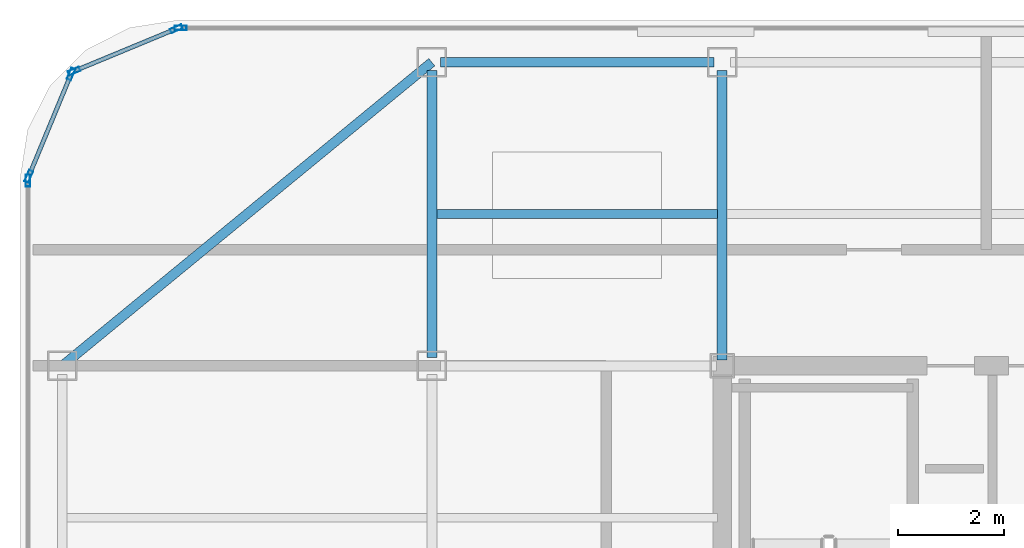
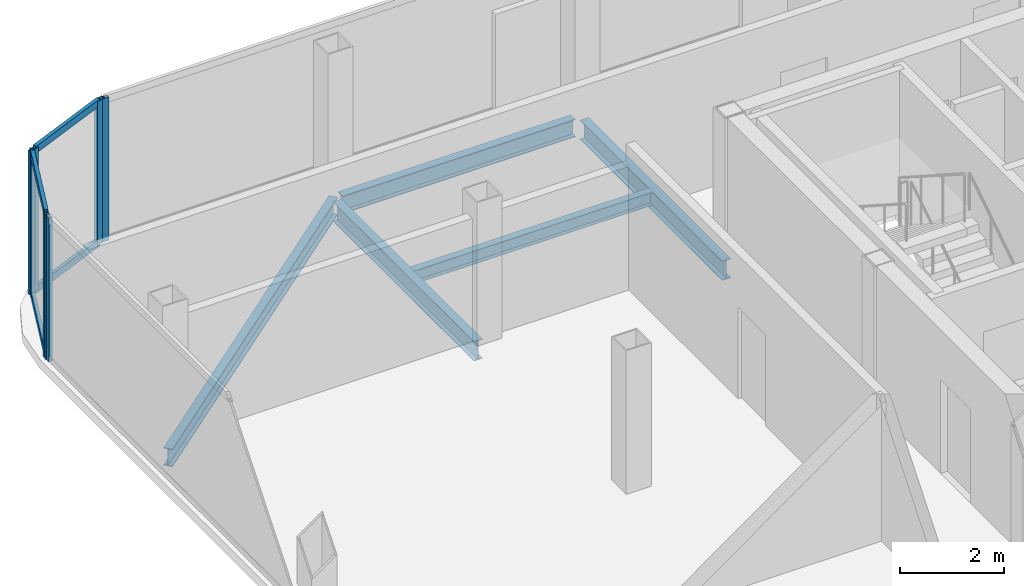
# One storey, part 4 of 11: 10 members, 5 beams, 4 elements without a shape of their own.
"""IFC4 building model written with IfcOpenShell, lengths in metres."""

from ifc_helpers import new_model, si_unit, direction, frame, origin, origin_2d, place, context, subcontext, project, spatial, hollow_rectangle, i_section, extrude, source, transform, mapped, material, layer, layer_set, material_profile, profile_set, type_object, element, aggregate, save


model = new_model("IFC4")

# Units and contexts
model_context = context("Model", 3, precision=1e-05, world=origin(), true_north=direction((0.0, 1.0)))
body_context = subcontext(model_context, "Body", "Model", "MODEL_VIEW")
ifc_project = project(units=[si_unit("LENGTHUNIT", "METRE"), si_unit("AREAUNIT", "SQUARE_METRE"), si_unit("VOLUMEUNIT", "CUBIC_METRE"), si_unit("PLANEANGLEUNIT", "RADIAN"), si_unit("MASSUNIT", "GRAM", prefix="KILO")], contexts=[model_context])

# Site, building, storey
site_placement = place(None, origin())
site = spatial("IfcSite", under=ifc_project, at=site_placement, CompositionType="ELEMENT")
building_placement = place(site_placement, origin())
building = spatial("IfcBuilding", under=site, at=building_placement, Name="Kolveth Station Tower", CompositionType="ELEMENT")
storey_placement = place(building_placement, frame((0.0, 0.0, 274.89990234375)))
storey = spatial("IfcBuildingStorey", under=building, at=storey_placement, Name="L79", CompositionType="ELEMENT", Elevation=274.89990234375)

# Beams
ifc_material_1 = material(Name="Steel S355", Category="steel")
ifc_material_profile_1 = material_profile(ifc_material_1, i_section(OverallWidth=0.180908203125, OverallDepth=0.4169921875, WebThickness=0.010986328125, FlangeThickness=0.018310546875, at=origin_2d()), Name="W410x85")
ifc_profile_set_1 = profile_set([ifc_material_profile_1], Name="Steel S355")
beam_type_1 = type_object("IfcBeamType", Name="Beam_B8", PredefinedType="BEAM", material=ifc_profile_set_1)
shared_shape_1 = source(origin(), body_context, "Body", "SweptSolid", [
    extrude(i_section(OverallWidth=0.180908203125, OverallDepth=0.4169921875, WebThickness=0.010986328125, FlangeThickness=0.018310546875, at=origin_2d()), origin(), (0.0, 0.0, 1.0), 5.18017578125),
])
beam_1_placement = place(storey_placement, frame((13.159912109375, 34.5, -0.428466796875), z_axis=(1.0, 0.0, 0.0), x_axis=(0.0, 1.0, 0.0)))
element("IfcBeam", 1, at=beam_1_placement, inside=storey, type_object=beam_type_1, Name="L79 Perimeter Spandrel BM-L79-PN-1", PredefinedType="BEAM", context=body_context, shape_type="MappedRepresentation", body=[
    mapped(shared_shape_1, transform((0.0, 0.0, 0.0), x_axis=(1.0, 0.0, 0.0), y_axis=(0.0, 1.0, 0.0), z_axis=(0.0, 0.0, 1.0), scale=1.0)),
])
shared_shape_2 = source(origin(), body_context, "Body", "SweptSolid", [
    extrude(i_section(OverallWidth=0.180908203125, OverallDepth=0.4169921875, WebThickness=0.010986328125, FlangeThickness=0.018310546875, at=origin_2d()), origin(), (0.0, 0.0, 1.0), 9.058837890625),
])
beam_2_placement = place(storey_placement, frame((13.0, 34.5, -0.428466796875), z_axis=(-0.772726254525, -0.63473942336, 0.0), x_axis=(0.63473942336, -0.772726254525, 0.0)))
element("IfcBeam", 2, at=beam_2_placement, inside=storey, type_object=beam_type_1, Name="L79 Corner Edge Girder BM-L79-CNR-NW", PredefinedType="BEAM", context=body_context, shape_type="MappedRepresentation", body=[
    mapped(shared_shape_2, transform((0.0, 0.0, 0.0), x_axis=(1.0, 0.0, 0.0), y_axis=(0.0, 1.0, 0.0), z_axis=(0.0, 0.0, 1.0), scale=1.0)),
])
ifc_material_profile_2 = material_profile(ifc_material_1, i_section(OverallWidth=0.19091796875, OverallDepth=0.4599609375, WebThickness=0.010009765625, FlangeThickness=0.01611328125, at=origin_2d()), Name="W460x82")
ifc_profile_set_2 = profile_set([ifc_material_profile_2], Name="Steel S355")
beam_type_2 = type_object("IfcBeamType", Name="Beam_B7", PredefinedType="BEAM", material=ifc_profile_set_2)
shared_shape_3 = source(origin(), body_context, "Body", "SweptSolid", [
    extrude(i_section(OverallWidth=0.19091796875, OverallDepth=0.4599609375, WebThickness=0.010009765625, FlangeThickness=0.01611328125, at=origin_2d()), origin(), (0.0, 0.0, 1.0), 5.43017578125),
])
beam_3_placement = place(storey_placement, frame((13.0, 28.909912109375, -0.449951171875), z_axis=(0.0, 1.0, 0.0), x_axis=(-1.0, 0.0, 0.0)))
element("IfcBeam", 3, at=beam_3_placement, inside=storey, type_object=beam_type_2, Name="L79 Primary Girder BM-L79-GX130-5", PredefinedType="BEAM", context=body_context, shape_type="MappedRepresentation", body=[
    mapped(shared_shape_3, transform((0.0, 0.0, 0.0), x_axis=(1.0, 0.0, 0.0), y_axis=(0.0, 1.0, 0.0), z_axis=(0.0, 0.0, 1.0), scale=1.0)),
])
shared_shape_4 = source(origin(), body_context, "Body", "SweptSolid", [
    extrude(i_section(OverallWidth=0.19091796875, OverallDepth=0.4599609375, WebThickness=0.010009765625, FlangeThickness=0.01611328125, at=origin_2d()), origin(), (0.0, 0.0, 1.0), 5.47998046875),
])
beam_4_placement = place(storey_placement, frame((18.5, 28.860107421875, -0.449951171875), z_axis=(0.0, 1.0, 0.0), x_axis=(-1.0, 0.0, 0.0)))
element("IfcBeam", 4, at=beam_4_placement, inside=storey, type_object=beam_type_2, Name="L79 Primary Girder BM-L79-GX185-5", PredefinedType="BEAM", context=body_context, shape_type="MappedRepresentation", body=[
    mapped(shared_shape_4, transform((0.0, 0.0, 0.0), x_axis=(1.0, 0.0, 0.0), y_axis=(0.0, 1.0, 0.0), z_axis=(0.0, 0.0, 1.0), scale=1.0)),
])
ifc_material_profile_3 = material_profile(ifc_material_1, i_section(OverallWidth=0.1650390625, OverallDepth=0.31005859375, WebThickness=0.005859375, FlangeThickness=0.009765625, at=origin_2d()), Name="W310x39")
ifc_profile_set_3 = profile_set([ifc_material_profile_3], Name="Steel S355")
beam_type_3 = type_object("IfcBeamType", Name="Beam_J3", PredefinedType="JOIST", material=ifc_profile_set_3)
shared_shape_5 = source(origin(), body_context, "Body", "SweptSolid", [
    extrude(i_section(OverallWidth=0.1650390625, OverallDepth=0.31005859375, WebThickness=0.005859375, FlangeThickness=0.009765625, at=origin_2d()), origin(), (0.0, 0.0, 1.0), 5.31298828125),
])
beam_5_placement = place(storey_placement, frame((13.093505859375, 31.625, -0.375), z_axis=(1.0, 0.0, 0.0), x_axis=(0.0, 1.0, 0.0)))
element("IfcBeam", 5, at=beam_5_placement, inside=storey, type_object=beam_type_3, Name="L79 Secondary Joist JST-L79-2-5", PredefinedType="JOIST", context=body_context, shape_type="MappedRepresentation", body=[
    mapped(shared_shape_5, transform((0.0, 0.0, 0.0), x_axis=(1.0, 0.0, 0.0), y_axis=(0.0, 1.0, 0.0), z_axis=(0.0, 0.0, 1.0), scale=1.0)),
])

# Curtain wall, members
ifc_material_2 = material(Name="Black anodized aluminium 6063-T6 and dark crown glass", Category="aluminium")
ifc_layer = layer(ifc_material_2, 0.169921875)
ifc_layer_set = layer_set([ifc_layer], Name="Black anodized aluminium 6063-T6 and dark crown glass")
curtain_wall_type = type_object("IfcCurtainWallType", Name="CurtainWall_CW-CR", PredefinedType="NOTDEFINED", material=ifc_layer_set)
curtain_wall_1_placement = place(storey_placement, origin())
curtain_wall_1 = element("IfcCurtainWall", 6, at=curtain_wall_1_placement, inside=storey, type_object=curtain_wall_type, Name="L79 Stepped Crown Curtain Wall 7", PredefinedType="NOTDEFINED")
ifc_material_3 = material(Name="Black anodized aluminium 6063-T6", Category="aluminium")
ifc_material_profile_4 = material_profile(ifc_material_3, hollow_rectangle(XDim=0.080078125, YDim=0.1650390625, WallThickness=0.0048828125, at=origin_2d()), Name="ALU-80x165x5")
ifc_profile_set_4 = profile_set([ifc_material_profile_4], Name="Black anodized aluminium 6063-T6")
member_type_1 = type_object("IfcMemberType", Name="Transom_TR-CR", PredefinedType="USERDEFINED", material=ifc_profile_set_4)
shared_shape_6 = source(origin(), body_context, "Body", "SweptSolid", [
    extrude(hollow_rectangle(XDim=0.080078125, YDim=0.1650390625, WallThickness=0.0048828125, at=origin_2d()), origin(), (0.0, 0.0, 1.0), 2.011474609375),
])
member_1_placement = place(storey_placement, frame((8.12158203125, 35.117431640625, 0.0400390625), z_axis=(-0.92392216698, -0.382580487431, 0.0), x_axis=(0.382580487431, -0.92392216698, 0.0)))
member_1 = element("IfcMember", 7, at=member_1_placement, type_object=member_type_1, Name="CW-CR transom 1.1", ObjectType="TRANSOM", PredefinedType="USERDEFINED", context=body_context, shape_type="MappedRepresentation", body=[
    mapped(shared_shape_6, transform((0.0, 0.0, 0.0), x_axis=(1.0, 0.0, 0.0), y_axis=(0.0, 1.0, 0.0), z_axis=(0.0, 0.0, 1.0), scale=1.0)),
])
member_2_placement = place(storey_placement, frame((8.12158203125, 35.117431640625, 3.340087890625), z_axis=(-0.92392216698, -0.382580487431, 0.0), x_axis=(0.382580487431, -0.92392216698, 0.0)))
member_2 = element("IfcMember", 8, at=member_2_placement, type_object=member_type_1, Name="CW-CR transom 1.2", ObjectType="TRANSOM", PredefinedType="USERDEFINED", context=body_context, shape_type="MappedRepresentation", body=[
    mapped(shared_shape_6, transform((0.0, 0.0, 0.0), x_axis=(1.0, 0.0, 0.0), y_axis=(0.0, 1.0, 0.0), z_axis=(0.0, 0.0, 1.0), scale=1.0)),
])

curtain_wall_2_placement = place(storey_placement, origin())
curtain_wall_2 = element("IfcCurtainWall", 9, at=curtain_wall_2_placement, inside=storey, type_object=curtain_wall_type, Name="L79 Stepped Crown Curtain Wall 8", PredefinedType="NOTDEFINED")
member_3_placement = place(storey_placement, frame((6.152099609375, 34.23681640625, 0.0400390625), z_axis=(-0.382580487431, -0.92392216698, 0.0), x_axis=(0.92392216698, -0.382580487431, 0.0)))
member_3 = element("IfcMember", 10, at=member_3_placement, type_object=member_type_1, Name="CW-CR transom 1.1", ObjectType="TRANSOM", PredefinedType="USERDEFINED", context=body_context, shape_type="MappedRepresentation", body=[
    mapped(shared_shape_6, transform((0.0, 0.0, 0.0), x_axis=(1.0, 0.0, 0.0), y_axis=(0.0, 1.0, 0.0), z_axis=(0.0, 0.0, 1.0), scale=1.0)),
])
member_4_placement = place(storey_placement, frame((6.152099609375, 34.23681640625, 3.340087890625), z_axis=(-0.382580487431, -0.92392216698, 0.0), x_axis=(0.92392216698, -0.382580487431, 0.0)))
member_4 = element("IfcMember", 11, at=member_4_placement, type_object=member_type_1, Name="CW-CR transom 1.2", ObjectType="TRANSOM", PredefinedType="USERDEFINED", context=body_context, shape_type="MappedRepresentation", body=[
    mapped(shared_shape_6, transform((0.0, 0.0, 0.0), x_axis=(1.0, 0.0, 0.0), y_axis=(0.0, 1.0, 0.0), z_axis=(0.0, 0.0, 1.0), scale=1.0)),
])

# Curtain wall, member
curtain_wall_3_placement = place(storey_placement, origin())
curtain_wall_3 = element("IfcCurtainWall", 12, at=curtain_wall_3_placement, inside=storey, type_object=curtain_wall_type, Name="L79 Stepped Crown Curtain Wall 6", PredefinedType="NOTDEFINED")
ifc_material_profile_5 = material_profile(ifc_material_3, hollow_rectangle(XDim=0.0849609375, YDim=0.22998046875, WallThickness=0.0048828125, at=origin_2d()), Name="ALU-85x230x5")
ifc_profile_set_5 = profile_set([ifc_material_profile_5], Name="Black anodized aluminium 6063-T6")
member_type_2 = type_object("IfcMemberType", Name="Mullion_ML-CR", PredefinedType="MULLION", material=ifc_profile_set_5)
shared_shape_7 = source(origin(), body_context, "Body", "SweptSolid", [
    extrude(hollow_rectangle(XDim=0.0849609375, YDim=0.22998046875, WallThickness=0.0048828125, at=origin_2d()), origin(), (0.0, 0.0, 1.0), 3.380126953125),
])
member_5_placement = place(storey_placement, frame((8.242431640625, 35.14990234375, 0.0), z_axis=(0.0, 0.0, 1.0), x_axis=(0.0, -1.0, 0.0)))
member_5 = element("IfcMember", 13, at=member_5_placement, type_object=member_type_2, Name="CW-CR mullion 2", PredefinedType="MULLION", context=body_context, shape_type="MappedRepresentation", body=[
    mapped(shared_shape_7, transform((0.0, 0.0, 0.0), x_axis=(1.0, 0.0, 0.0), y_axis=(0.0, 1.0, 0.0), z_axis=(0.0, 0.0, 1.0), scale=1.0)),
])
aggregate(curtain_wall_3, [member_5])

# Member
member_6_placement = place(storey_placement, frame((8.16064453125, 35.1337890625, 0.0), z_axis=(0.0, 0.0, 1.0), x_axis=(0.382658157192, -0.923890001426, 0.0)))
member_6 = element("IfcMember", 14, at=member_6_placement, type_object=member_type_2, Name="CW-CR mullion 1", PredefinedType="MULLION", context=body_context, shape_type="MappedRepresentation", body=[
    mapped(shared_shape_7, transform((0.0, 0.0, 0.0), x_axis=(1.0, 0.0, 0.0), y_axis=(0.0, 1.0, 0.0), z_axis=(0.0, 0.0, 1.0), scale=1.0)),
])

member_7_placement = place(storey_placement, frame((6.223876953125, 34.33154296875, 0.0), z_axis=(0.0, 0.0, 1.0), x_axis=(0.382658157192, -0.923890001426, 0.0)))
member_7 = element("IfcMember", 15, at=member_7_placement, type_object=member_type_2, Name="CW-CR mullion 2", PredefinedType="MULLION", context=body_context, shape_type="MappedRepresentation", body=[
    mapped(shared_shape_7, transform((0.0, 0.0, 0.0), x_axis=(1.0, 0.0, 0.0), y_axis=(0.0, 1.0, 0.0), z_axis=(0.0, 0.0, 1.0), scale=1.0)),
])

aggregate(curtain_wall_1, [member_6, member_7, member_1, member_2])

member_8_placement = place(storey_placement, frame((6.16845703125, 34.276123046875, 0.0), z_axis=(0.0, 0.0, 1.0), x_axis=(0.923890001426, -0.382658157192, 0.0)))
member_8 = element("IfcMember", 16, at=member_8_placement, type_object=member_type_2, Name="CW-CR mullion 1", PredefinedType="MULLION", context=body_context, shape_type="MappedRepresentation", body=[
    mapped(shared_shape_7, transform((0.0, 0.0, 0.0), x_axis=(1.0, 0.0, 0.0), y_axis=(0.0, 1.0, 0.0), z_axis=(0.0, 0.0, 1.0), scale=1.0)),
])

member_9_placement = place(storey_placement, frame((5.3662109375, 32.33935546875, 0.0), z_axis=(0.0, 0.0, 1.0), x_axis=(0.923890001426, -0.382658157192, 0.0)))
member_9 = element("IfcMember", 17, at=member_9_placement, type_object=member_type_2, Name="CW-CR mullion 2", PredefinedType="MULLION", context=body_context, shape_type="MappedRepresentation", body=[
    mapped(shared_shape_7, transform((0.0, 0.0, 0.0), x_axis=(1.0, 0.0, 0.0), y_axis=(0.0, 1.0, 0.0), z_axis=(0.0, 0.0, 1.0), scale=1.0)),
])

aggregate(curtain_wall_2, [member_8, member_9, member_3, member_4])

# Curtain wall, member
curtain_wall_4_placement = place(storey_placement, origin())
curtain_wall_4 = element("IfcCurtainWall", 18, at=curtain_wall_4_placement, inside=storey, type_object=curtain_wall_type, Name="L79 Stepped Crown Curtain Wall 9", PredefinedType="NOTDEFINED")
member_10_placement = place(storey_placement, frame((5.35009765625, 32.257568359375, 0.0), z_axis=(0.0, 0.0, 1.0), x_axis=(1.0, 0.0, 0.0)))
member_10 = element("IfcMember", 19, at=member_10_placement, type_object=member_type_2, Name="CW-CR mullion 1", PredefinedType="MULLION", context=body_context, shape_type="MappedRepresentation", body=[
    mapped(shared_shape_7, transform((0.0, 0.0, 0.0), x_axis=(1.0, 0.0, 0.0), y_axis=(0.0, 1.0, 0.0), z_axis=(0.0, 0.0, 1.0), scale=1.0)),
])
aggregate(curtain_wall_4, [member_10])

save(model, "model.ifc")
